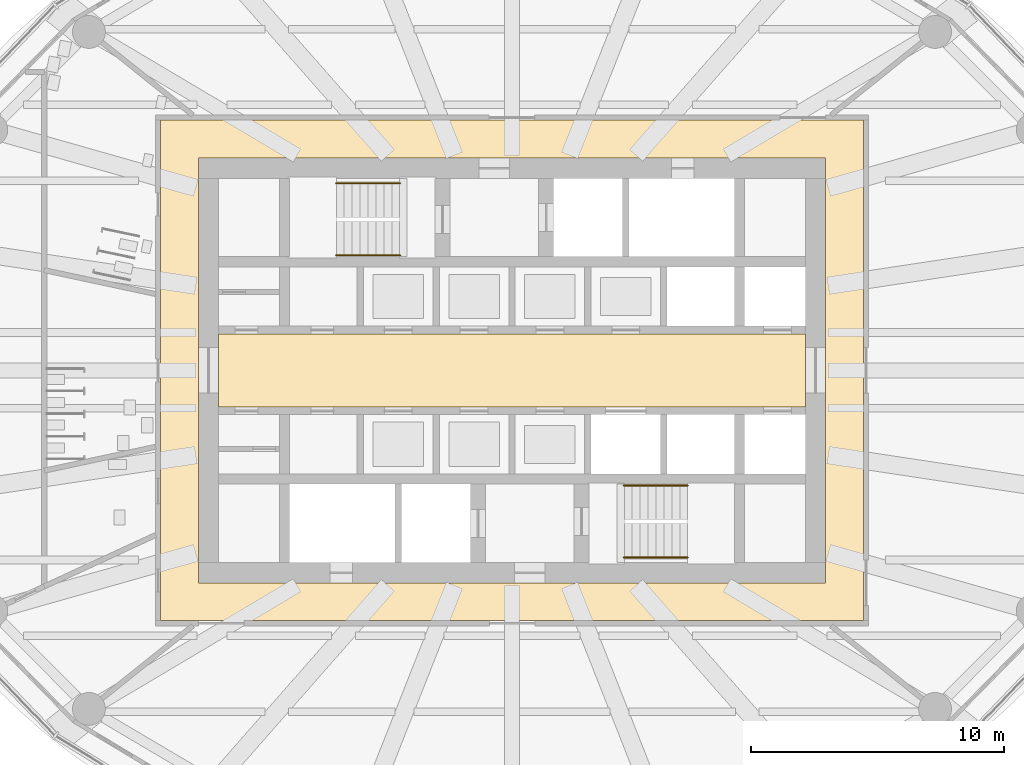
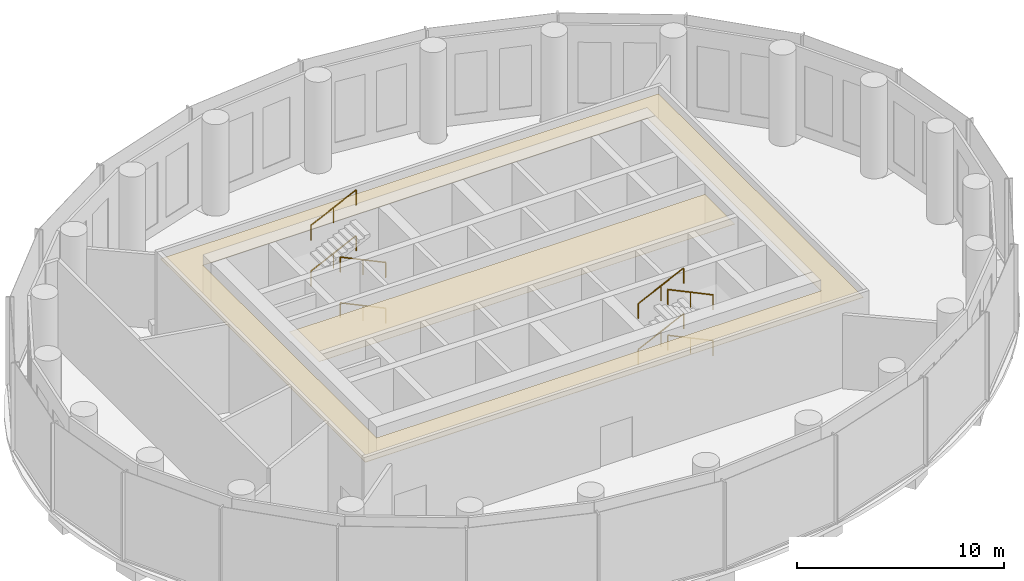
# One storey, part 10 of 13: 8 railings, 2 coverings.
"""IFC4 building model written with IfcOpenShell, lengths in metres."""

from ifc_helpers import new_model, si_unit, direction, frame, origin, origin_2d, place, context, subcontext, project, spatial, polyline, circle, outline, extrude, material, layer, layer_set, type_object, element, save


model = new_model("IFC4")

# Units and contexts
model_context = context("Model", 3, precision=1e-05, world=origin(), true_north=direction((0.0, 1.0)))
body_context = subcontext(model_context, "Body", "Model", "MODEL_VIEW")
ifc_project = project(units=[si_unit("LENGTHUNIT", "METRE"), si_unit("AREAUNIT", "SQUARE_METRE"), si_unit("VOLUMEUNIT", "CUBIC_METRE"), si_unit("PLANEANGLEUNIT", "RADIAN"), si_unit("MASSUNIT", "GRAM", prefix="KILO")], contexts=[model_context])

# Site, building, storey
site_placement = place(None, origin())
site = spatial("IfcSite", under=ifc_project, at=site_placement, CompositionType="ELEMENT")
building_placement = place(site_placement, origin())
building = spatial("IfcBuilding", under=site, at=building_placement, Name="Hankou Lantern Tower", CompositionType="ELEMENT")
storey_placement = place(building_placement, frame((0.0, 0.0, 100.199951171875)))
storey = spatial("IfcBuildingStorey", under=building, at=storey_placement, Name="L25", CompositionType="ELEMENT", Elevation=100.199951171875)

# Coverings
ifc_material_1 = material(Name="Black painted aluminium linear ceiling panels", Category="aluminium")
ifc_layer_1 = layer(ifc_material_1, 0.02490234375)
ifc_layer_set_1 = layer_set([ifc_layer_1], Name="Black painted aluminium linear ceiling panels")
covering_type_1 = type_object("IfcCoveringType", Name="CL1 CORRIDOR CEILING 25", PredefinedType="CEILING", material=ifc_layer_set_1)
covering_1_placement = place(storey_placement, frame((0.0, 0.0, 4.7451171875)))
element("IfcCovering", 1, at=covering_1_placement, inside=storey, type_object=covering_type_1, Name="Corridor ceiling L25", PredefinedType="CEILING", context=body_context, shape_type="SweptSolid", body=[
    extrude(outline(polyline([(-13.89990234375, -9.89990234375), (13.89990234375, -9.89990234375), (13.89990234375, 9.89990234375), (-13.89990234375, 9.89990234375), (-13.89990234375, -9.89990234375)]), holes=[polyline([(-12.39990234375, 8.39990234375), (12.39990234375, 8.39990234375), (12.39990234375, -8.39990234375), (-12.39990234375, -8.39990234375), (-12.39990234375, 8.39990234375)])]), origin(), (0.0, 0.0, 1.0), 0.02490234375),
])
ifc_material_2 = material(Name="Perforated black aluminium acoustic tray ceiling", Category="aluminium")
ifc_layer_2 = layer(ifc_material_2, 0.014892578125)
ifc_layer_set_2 = layer_set([ifc_layer_2], Name="Perforated black aluminium acoustic tray ceiling")
covering_type_2 = type_object("IfcCoveringType", Name="CL2 LIFT LOBBY CEILING 15", PredefinedType="CEILING", material=ifc_layer_set_2)
covering_2_placement = place(storey_placement, frame((0.0, 0.0, 4.755126953125)))
element("IfcCovering", 2, at=covering_2_placement, inside=storey, type_object=covering_type_2, Name="Lift lobby ceiling L25", PredefinedType="CEILING", context=body_context, shape_type="SweptSolid", body=[
    extrude(outline(polyline([(-11.60009765625, -1.449951171875), (11.60009765625, -1.449951171875), (11.60009765625, 1.449951171875), (-11.60009765625, 1.449951171875), (-11.60009765625, -1.449951171875)])), origin(), (0.0, 0.0, 1.0), 0.014892578125),
])

# Railings
ifc_material_3 = material(Name="Steel handrail", Category="steel")
railing_type = type_object("IfcRailingType", Name="HR1 STAIR HANDRAIL", PredefinedType="HANDRAIL", material=ifc_material_3)
railing_1_placement = place(storey_placement, frame((-4.429931640625, 4.550048828125, 0.900146484375)))
element("IfcRailing", 3, at=railing_1_placement, inside=storey, type_object=railing_type, Name="Handrail stair STA L25 flight 1", PredefinedType="HANDRAIL", context=body_context, shape_type="SweptSolid", body=[
    extrude(circle(Radius=0.02392578125, at=origin_2d()), frame((0.0, 0.0, 0.8759765625), z_axis=(-0.902868602797, 0.0, 0.429916603638), x_axis=(0.0, -1.0, 0.0)), (0.0, 0.0, 1.0), 2.791015625),
    extrude(circle(Radius=0.02099609375, at=origin_2d()), origin(), (0.0, 0.0, 1.0), 0.851806640625),
    extrude(circle(Radius=0.02099609375, at=origin_2d()), frame((-1.260009765625, 0.0, 0.60009765625)), (0.0, 0.0, 1.0), 0.851806640625),
    extrude(circle(Radius=0.02099609375, at=origin_2d()), frame((-2.52001953125, 0.0, 1.199951171875)), (0.0, 0.0, 1.0), 0.851806640625),
])
railing_2_placement = place(storey_placement, frame((-6.949951171875, 7.39990234375, 2.25)))
element("IfcRailing", 4, at=railing_2_placement, inside=storey, type_object=railing_type, Name="Handrail stair STA L25 flight 2", PredefinedType="HANDRAIL", context=body_context, shape_type="SweptSolid", body=[
    extrude(circle(Radius=0.02392578125, at=origin_2d()), frame((0.0, 0.0, 0.8759765625), z_axis=(0.902868602797, 0.0, 0.429916603638), x_axis=(0.0, 1.0, 0.0)), (0.0, 0.0, 1.0), 2.791015625),
    extrude(circle(Radius=0.02099609375, at=origin_2d()), origin(), (0.0, 0.0, 1.0), 0.851806640625),
    extrude(circle(Radius=0.02099609375, at=origin_2d()), frame((1.260009765625, 0.0, 0.60009765625)), (0.0, 0.0, 1.0), 0.851806640625),
    extrude(circle(Radius=0.02099609375, at=origin_2d()), frame((2.52001953125, 0.0, 1.199951171875)), (0.0, 0.0, 1.0), 0.851806640625),
])
railing_3_placement = place(storey_placement, frame((-4.429931640625, 4.550048828125, 3.60009765625)))
element("IfcRailing", 5, at=railing_3_placement, inside=storey, type_object=railing_type, Name="Handrail stair STA L25 flight 3", PredefinedType="HANDRAIL", context=body_context, shape_type="SweptSolid", body=[
    extrude(circle(Radius=0.02392578125, at=origin_2d()), frame((0.0, 0.0, 0.8759765625), z_axis=(-0.902868602797, 0.0, 0.429916603638), x_axis=(0.0, -1.0, 0.0)), (0.0, 0.0, 1.0), 2.791015625),
    extrude(circle(Radius=0.02099609375, at=origin_2d()), origin(), (0.0, 0.0, 1.0), 0.851806640625),
    extrude(circle(Radius=0.02099609375, at=origin_2d()), frame((-1.260009765625, 0.0, 0.60009765625)), (0.0, 0.0, 1.0), 0.851806640625),
    extrude(circle(Radius=0.02099609375, at=origin_2d()), frame((-2.52001953125, 0.0, 1.199951171875)), (0.0, 0.0, 1.0), 0.851806640625),
])
railing_4_placement = place(storey_placement, frame((-6.949951171875, 7.39990234375, 4.949951171875)))
element("IfcRailing", 6, at=railing_4_placement, inside=storey, type_object=railing_type, Name="Handrail stair STA L25 flight 4", PredefinedType="HANDRAIL", context=body_context, shape_type="SweptSolid", body=[
    extrude(circle(Radius=0.02392578125, at=origin_2d()), frame((0.0, 0.0, 0.8759765625), z_axis=(0.902834648938, 0.0, 0.429987902943), x_axis=(0.0, 1.0, 0.0)), (0.0, 0.0, 1.0), 2.791259765625),
    extrude(circle(Radius=0.02099609375, at=origin_2d()), origin(), (0.0, 0.0, 1.0), 0.851806640625),
    extrude(circle(Radius=0.02099609375, at=origin_2d()), frame((1.260009765625, 0.0, 0.60009765625)), (0.0, 0.0, 1.0), 0.851806640625),
    extrude(circle(Radius=0.02099609375, at=origin_2d()), frame((2.52001953125, 0.0, 1.2001953125)), (0.0, 0.0, 1.0), 0.851806640625),
])
railing_5_placement = place(storey_placement, frame((4.429931640625, -4.550048828125, 0.900146484375)))
element("IfcRailing", 7, at=railing_5_placement, inside=storey, type_object=railing_type, Name="Handrail stair STB L25 flight 1", PredefinedType="HANDRAIL", context=body_context, shape_type="SweptSolid", body=[
    extrude(circle(Radius=0.02392578125, at=origin_2d()), frame((0.0, 0.0, 0.8759765625), z_axis=(0.902868602797, 0.0, 0.429916603638), x_axis=(0.0, 1.0, 0.0)), (0.0, 0.0, 1.0), 2.791015625),
    extrude(circle(Radius=0.02099609375, at=origin_2d()), origin(), (0.0, 0.0, 1.0), 0.851806640625),
    extrude(circle(Radius=0.02099609375, at=origin_2d()), frame((1.260009765625, 0.0, 0.60009765625)), (0.0, 0.0, 1.0), 0.851806640625),
    extrude(circle(Radius=0.02099609375, at=origin_2d()), frame((2.52001953125, 0.0, 1.199951171875)), (0.0, 0.0, 1.0), 0.851806640625),
])
railing_6_placement = place(storey_placement, frame((6.949951171875, -7.39990234375, 2.25)))
element("IfcRailing", 8, at=railing_6_placement, inside=storey, type_object=railing_type, Name="Handrail stair STB L25 flight 2", PredefinedType="HANDRAIL", context=body_context, shape_type="SweptSolid", body=[
    extrude(circle(Radius=0.02392578125, at=origin_2d()), frame((0.0, 0.0, 0.8759765625), z_axis=(-0.902868602797, 0.0, 0.429916603638), x_axis=(0.0, -1.0, 0.0)), (0.0, 0.0, 1.0), 2.791015625),
    extrude(circle(Radius=0.02099609375, at=origin_2d()), origin(), (0.0, 0.0, 1.0), 0.851806640625),
    extrude(circle(Radius=0.02099609375, at=origin_2d()), frame((-1.260009765625, 0.0, 0.60009765625)), (0.0, 0.0, 1.0), 0.851806640625),
    extrude(circle(Radius=0.02099609375, at=origin_2d()), frame((-2.52001953125, 0.0, 1.199951171875)), (0.0, 0.0, 1.0), 0.851806640625),
])
railing_7_placement = place(storey_placement, frame((4.429931640625, -4.550048828125, 3.60009765625)))
element("IfcRailing", 9, at=railing_7_placement, inside=storey, type_object=railing_type, Name="Handrail stair STB L25 flight 3", PredefinedType="HANDRAIL", context=body_context, shape_type="SweptSolid", body=[
    extrude(circle(Radius=0.02392578125, at=origin_2d()), frame((0.0, 0.0, 0.8759765625), z_axis=(0.902868602797, 0.0, 0.429916603638), x_axis=(0.0, 1.0, 0.0)), (0.0, 0.0, 1.0), 2.791015625),
    extrude(circle(Radius=0.02099609375, at=origin_2d()), origin(), (0.0, 0.0, 1.0), 0.851806640625),
    extrude(circle(Radius=0.02099609375, at=origin_2d()), frame((1.260009765625, 0.0, 0.60009765625)), (0.0, 0.0, 1.0), 0.851806640625),
    extrude(circle(Radius=0.02099609375, at=origin_2d()), frame((2.52001953125, 0.0, 1.199951171875)), (0.0, 0.0, 1.0), 0.851806640625),
])
railing_8_placement = place(storey_placement, frame((6.949951171875, -7.39990234375, 4.949951171875)))
element("IfcRailing", 10, at=railing_8_placement, inside=storey, type_object=railing_type, Name="Handrail stair STB L25 flight 4", PredefinedType="HANDRAIL", context=body_context, shape_type="SweptSolid", body=[
    extrude(circle(Radius=0.02392578125, at=origin_2d()), frame((0.0, 0.0, 0.8759765625), z_axis=(-0.902834648938, 0.0, 0.429987902943), x_axis=(0.0, -1.0, 0.0)), (0.0, 0.0, 1.0), 2.791259765625),
    extrude(circle(Radius=0.02099609375, at=origin_2d()), origin(), (0.0, 0.0, 1.0), 0.851806640625),
    extrude(circle(Radius=0.02099609375, at=origin_2d()), frame((-1.260009765625, 0.0, 0.60009765625)), (0.0, 0.0, 1.0), 0.851806640625),
    extrude(circle(Radius=0.02099609375, at=origin_2d()), frame((-2.52001953125, 0.0, 1.2001953125)), (0.0, 0.0, 1.0), 0.851806640625),
])

save(model, "model.ifc")
